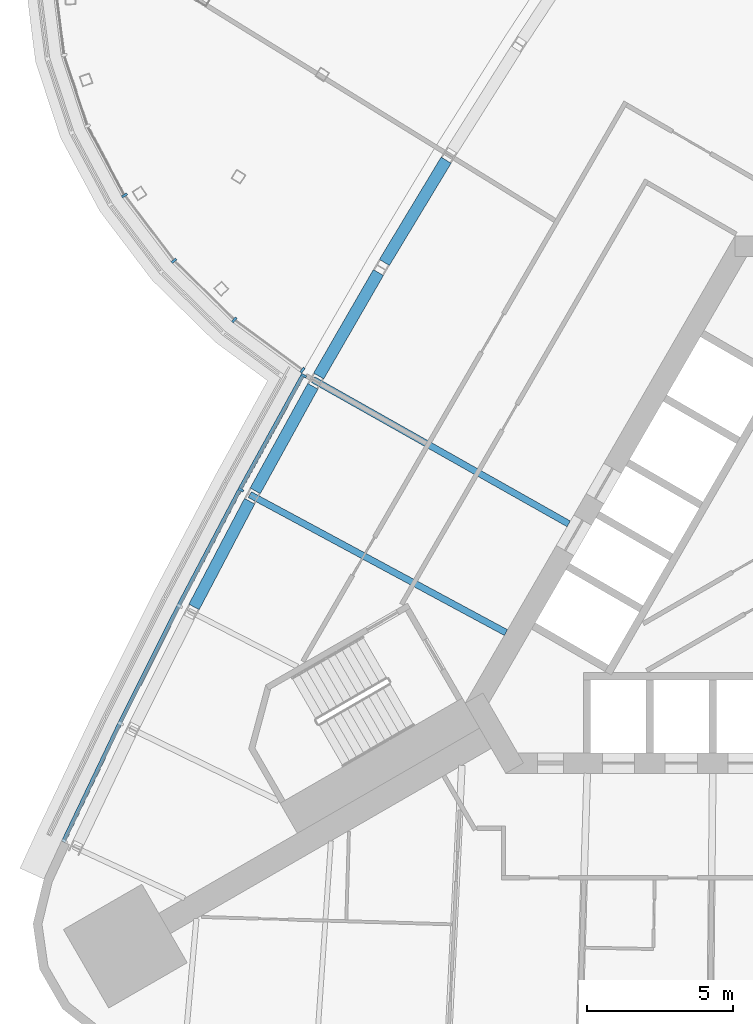
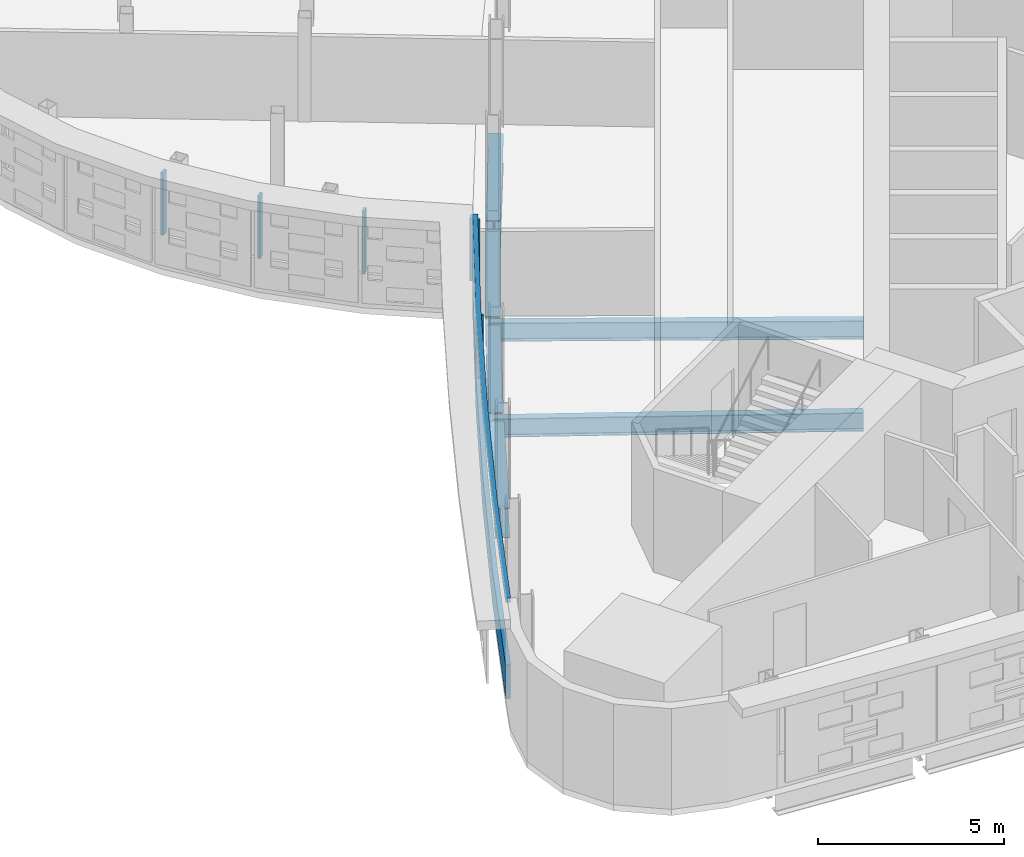
# One storey, part 6 of 16: 8 members, 6 beams, 2 elements without a shape of their own.
"""IFC4 building model written with IfcOpenShell, lengths in metres."""

from ifc_helpers import new_model, si_unit, direction, frame, origin, origin_2d, place, context, subcontext, project, spatial, polyline, rectangle, i_section, outline, extrude, material, material_profile, profile_set, type_object, element, aggregate, save


model = new_model("IFC4")

# Units and contexts
model_context = context("Model", 3, precision=1e-05, world=origin(), true_north=direction((0.0, 1.0)))
body_context = subcontext(model_context, "Body", "Model", "MODEL_VIEW")
ifc_project = project(units=[si_unit("LENGTHUNIT", "METRE"), si_unit("AREAUNIT", "SQUARE_METRE"), si_unit("VOLUMEUNIT", "CUBIC_METRE"), si_unit("PLANEANGLEUNIT", "RADIAN"), si_unit("MASSUNIT", "GRAM", prefix="KILO")], contexts=[model_context])

# Site, building, storey
site_placement = place(None, origin())
site = spatial("IfcSite", under=ifc_project, at=site_placement, CompositionType="ELEMENT")
building_placement = place(site_placement, origin())
building = spatial("IfcBuilding", under=site, at=building_placement, Name="Noor Cloister Tower", CompositionType="ELEMENT")
storey_placement = place(building_placement, frame((0.0, 0.0, 91.5)))
storey = spatial("IfcBuildingStorey", under=building, at=storey_placement, Name="L23", CompositionType="ELEMENT", Elevation=91.5)

# Beams
ifc_material_1 = material(Name="Steel ASTM A992 Gr 50", Category="steel")
ifc_material_profile_1 = material_profile(ifc_material_1, i_section(OverallWidth=0.40087890625, OverallDepth=0.98291015625, WebThickness=0.0166015625, FlangeThickness=0.027099609375, FilletRadius=0.030029296875, at=origin_2d()), Name="W1000x296")
ifc_profile_set_1 = profile_set([ifc_material_profile_1], Name="Steel ASTM A992 Gr 50")
beam_type_1 = type_object("IfcBeamType", Name="Belt chord girder W1000x296", PredefinedType="BEAM", material=ifc_profile_set_1)
for number, where, z_axis, x_axis, name in (
    (1, (-11.267578125, 14.048095703125, -0.69140625), (-0.516935158604, -0.856024556773, 0.0), (0.856024556773, -0.516935158604, 0.0), "Spandrel beam NW 04 L23"),
    (2, (-13.584716796875, 10.203369140625, -0.69140625), (-0.500037791097, -0.866003583985, 0.0), (0.866003583985, -0.500037791097, 0.0), "Spandrel beam NW 05 L23"),
):
    element("IfcBeam", number, at=place(storey_placement, frame(where, z_axis=z_axis, x_axis=x_axis)), inside=storey, type_object=beam_type_1, Name=name, PredefinedType="BEAM", context=body_context, shape_type="SweptSolid", body=[
        extrude(i_section(OverallWidth=0.40087890625, OverallDepth=0.98291015625, WebThickness=0.0166015625, FlangeThickness=0.027099609375, FilletRadius=0.030029296875, at=origin_2d()), origin(), (0.0, 0.0, 1.0), 4.088134765625),
    ])
beam_1_placement = place(storey_placement, frame((-15.825927734375, 6.313720703125, -0.69140625), z_axis=(-0.482851559561, -0.875702216184, 0.0), x_axis=(0.875702216184, -0.482851559561, 0.0)))
element("IfcBeam", 3, at=beam_1_placement, inside=storey, type_object=beam_type_1, Name="Spandrel beam NW 06 L23", PredefinedType="BEAM", context=body_context, shape_type="SweptSolid", body=[
    extrude(i_section(OverallWidth=0.40087890625, OverallDepth=0.98291015625, WebThickness=0.0166015625, FlangeThickness=0.027099609375, FilletRadius=0.030029296875, at=origin_2d()), origin(), (0.0, 0.0, 1.0), 4.087890625),
])
beam_2_placement = place(storey_placement, frame((-17.989990234375, 2.380859375, -0.69140625), z_axis=(-0.465512591223, -0.885041257464, 0.0), x_axis=(0.885041257464, -0.465512591223, 0.0)))
element("IfcBeam", 4, at=beam_2_placement, inside=storey, type_object=beam_type_1, Name="Spandrel beam NW 07 L23", PredefinedType="BEAM", context=body_context, shape_type="SweptSolid", body=[
    extrude(i_section(OverallWidth=0.40087890625, OverallDepth=0.98291015625, WebThickness=0.0166015625, FlangeThickness=0.027099609375, FilletRadius=0.030029296875, at=origin_2d()), origin(), (0.0, 0.0, 1.0), 4.088134765625),
])

# Curtain wall, members
ifc_material_2 = material(Name="Aluminium 6063-T6 anodised", Category="aluminium")
curtain_wall_type_1 = type_object("IfcCurtainWallType", Name="Ribbon curtain wall, lower tower CW1", PredefinedType="NOTDEFINED", material=ifc_material_2)
curtain_wall_1_placement = place(storey_placement, origin())
curtain_wall_1 = element("IfcCurtainWall", 5, at=curtain_wall_1_placement, inside=storey, type_object=curtain_wall_type_1, Name="CW1 L23 NW run 2", PredefinedType="NOTDEFINED")
ifc_material_3 = material(Name="Aluminium 6063-T6 anodised", Category="aluminium")
member_type_1 = type_object("IfcMemberType", Name="Head transom CW1 150", PredefinedType="USERDEFINED", material=ifc_material_3)
member_1_placement = place(storey_placement, frame((0.0, 0.0, 3.14990234375)))
member_1 = element("IfcMember", 6, at=member_1_placement, type_object=member_type_1, Name="CW1 head transom", ObjectType="TRANSOM", PredefinedType="USERDEFINED", context=body_context, shape_type="SweptSolid", body=[
    extrude(outline(polyline([(-16.2080078125, 6.759765625), (-18.380859375, 2.819091796875), (-20.475830078125, -1.16357421875), (-22.49169921875, -5.1865234375), (-24.42822265625, -9.24853515625), (-24.302001953125, -9.30859375), (-22.365966796875, -5.248046875), (-20.35107421875, -1.2275390625), (-18.257568359375, 2.752685546875), (-16.08544921875, 6.692138671875), (-16.2080078125, 6.759765625)])), origin(), (0.0, 0.0, 1.0), 0.150146484375),
])
ifc_material_4 = material(Name="Aluminium 6063-T6 anodised", Category="aluminium")
ifc_material_profile_2 = material_profile(ifc_material_4, rectangle(XDim=0.199951171875, YDim=0.080078125, at=origin_2d()), Name="200 x 80 mullion")
ifc_profile_set_2 = profile_set([ifc_material_profile_2], Name="Aluminium 6063-T6 anodised")
member_type_2 = type_object("IfcMemberType", Name="Mullion CW1 80 x 200", PredefinedType="MULLION", material=ifc_profile_set_2)
member_2_placement = place(storey_placement, frame((-16.139892578125, 6.67626953125, 1.10009765625), z_axis=(0.0, 0.0, 1.0), x_axis=(0.875698643614, -0.482858038737, 0.0)))
member_2 = element("IfcMember", 7, at=member_2_placement, type_object=member_type_2, Name="CW1 mullion 1", PredefinedType="MULLION", context=body_context, shape_type="SweptSolid", body=[
    extrude(rectangle(XDim=0.199951171875, YDim=0.080078125, at=origin_2d()), origin(), (0.0, 0.0, 1.0), 2.0498046875),
])
member_3_placement = place(storey_placement, frame((-18.292724609375, 2.771728515625, 1.10009765625), z_axis=(0.0, 0.0, 1.0), x_axis=(0.880408277748, -0.474216474275, 0.0)))
member_3 = element("IfcMember", 8, at=member_3_placement, type_object=member_type_2, Name="CW1 mullion 2", PredefinedType="MULLION", context=body_context, shape_type="SweptSolid", body=[
    extrude(rectangle(XDim=0.199951171875, YDim=0.080078125, at=origin_2d()), origin(), (0.0, 0.0, 1.0), 2.0498046875),
])

ifc_material_5 = material(Name="Aluminium 6063-T6 anodised", Category="aluminium")
curtain_wall_type_2 = type_object("IfcCurtainWallType", Name="Sky bar curtain wall, lower bars CW2", PredefinedType="NOTDEFINED", material=ifc_material_5)
curtain_wall_2_placement = place(storey_placement, origin())
curtain_wall_2 = element("IfcCurtainWall", 9, at=curtain_wall_2_placement, inside=storey, type_object=curtain_wall_type_2, Name="CW2 L23 NW sky bar run 1", PredefinedType="NOTDEFINED")
ifc_material_6 = material(Name="Aluminium 6063-T6 anodised", Category="aluminium")
ifc_material_profile_3 = material_profile(ifc_material_6, rectangle(XDim=0.199951171875, YDim=0.080078125, at=origin_2d()), Name="200 x 80 mullion")
ifc_profile_set_3 = profile_set([ifc_material_profile_3], Name="Aluminium 6063-T6 anodised")
member_type_3 = type_object("IfcMemberType", Name="Mullion CW2 80 x 200", PredefinedType="MULLION", material=ifc_profile_set_3)
member_4_placement = place(storey_placement, frame((-22.271484375, 12.84375, 1.10009765625), z_axis=(0.0, 0.0, 1.0), x_axis=(0.842174256763, 0.539205453649, 0.0)))
member_4 = element("IfcMember", 10, at=member_4_placement, type_object=member_type_3, Name="CW2 mullion 15", PredefinedType="MULLION", context=body_context, shape_type="SweptSolid", body=[
    extrude(rectangle(XDim=0.199951171875, YDim=0.080078125, at=origin_2d()), origin(), (0.0, 0.0, 1.0), 2.0498046875),
])
member_5_placement = place(storey_placement, frame((-20.57763671875, 10.607666015625, 1.10009765625), z_axis=(0.0, 0.0, 1.0), x_axis=(0.750691888526, 0.660652471804, 0.0)))
member_5 = element("IfcMember", 11, at=member_5_placement, type_object=member_type_3, Name="CW2 mullion 16", PredefinedType="MULLION", context=body_context, shape_type="SweptSolid", body=[
    extrude(rectangle(XDim=0.199951171875, YDim=0.080078125, at=origin_2d()), origin(), (0.0, 0.0, 1.0), 2.0498046875),
])
member_6_placement = place(storey_placement, frame((-18.51513671875, 8.584716796875, 1.10009765625), z_axis=(0.0, 0.0, 1.0), x_axis=(0.648411146888, 0.761290341849, 0.0)))
member_6 = element("IfcMember", 12, at=member_6_placement, type_object=member_type_3, Name="CW2 mullion 17", PredefinedType="MULLION", context=body_context, shape_type="SweptSolid", body=[
    extrude(rectangle(XDim=0.199951171875, YDim=0.080078125, at=origin_2d()), origin(), (0.0, 0.0, 1.0), 2.0498046875),
])
member_7_placement = place(storey_placement, frame((-16.180908203125, 6.864013671875, 1.10009765625), z_axis=(0.0, 0.0, 1.0), x_axis=(0.593401424742, 0.804906671058, 0.0)))
member_7 = element("IfcMember", 13, at=member_7_placement, type_object=member_type_3, Name="CW2 mullion 18", PredefinedType="MULLION", context=body_context, shape_type="SweptSolid", body=[
    extrude(rectangle(XDim=0.199951171875, YDim=0.080078125, at=origin_2d()), origin(), (0.0, 0.0, 1.0), 2.0498046875),
])
aggregate(curtain_wall_2, [member_4, member_5, member_6, member_7])

# Beams
ifc_material_7 = material(Name="Steel ASTM A992 Gr 50", Category="steel")
ifc_material_profile_4 = material_profile(ifc_material_7, i_section(OverallWidth=0.22802734375, OverallDepth=0.60205078125, WebThickness=0.010498046875, FlangeThickness=0.014892578125, FilletRadius=0.0126953125, at=origin_2d()), Name="W610x101")
ifc_profile_set_4 = profile_set([ifc_material_profile_4], Name="Steel ASTM A992 Gr 50")
beam_type_2 = type_object("IfcBeamType", Name="Radial beam W610x101", PredefinedType="BEAM", material=ifc_profile_set_4)
beam_3_placement = place(storey_placement, frame((-15.816650390625, 6.538818359375, -0.5009765625), z_axis=(0.870901874431, -0.491456941259, 0.0), x_axis=(0.491456941259, 0.870901874431, 0.0)))
element("IfcBeam", 14, at=beam_3_placement, inside=storey, type_object=beam_type_2, Name="Radial beam NW 06 L23", PredefinedType="BEAM", context=body_context, shape_type="SweptSolid", body=[
    extrude(i_section(OverallWidth=0.22802734375, OverallDepth=0.60205078125, WebThickness=0.010498046875, FlangeThickness=0.014892578125, FilletRadius=0.0126953125, at=origin_2d()), origin(), (0.0, 0.0, 1.0), 10.039306640625),
])
beam_4_placement = place(storey_placement, frame((-17.985107421875, 2.60595703125, -0.5009765625), z_axis=(0.880406516163, -0.474219744736, 0.0), x_axis=(0.474219744736, 0.880406516163, 0.0)))
element("IfcBeam", 15, at=beam_4_placement, inside=storey, type_object=beam_type_2, Name="Radial beam NW 07 L23", PredefinedType="BEAM", context=body_context, shape_type="SweptSolid", body=[
    extrude(i_section(OverallWidth=0.22802734375, OverallDepth=0.60205078125, WebThickness=0.010498046875, FlangeThickness=0.014892578125, FilletRadius=0.0126953125, at=origin_2d()), origin(), (0.0, 0.0, 1.0), 9.95458984375),
])

# Member
ifc_material_8 = material(Name="Aluminium 6063-T6 anodised", Category="aluminium")
member_type_4 = type_object("IfcMemberType", Name="Sill transom CW1 1100", PredefinedType="USERDEFINED", material=ifc_material_8)
member_8_placement = place(storey_placement, origin())
member_8 = element("IfcMember", 16, at=member_8_placement, type_object=member_type_4, Name="CW1 sill transom", ObjectType="TRANSOM", PredefinedType="USERDEFINED", context=body_context, shape_type="SweptSolid", body=[
    extrude(outline(polyline([(-16.2080078125, 6.759765625), (-18.380859375, 2.819091796875), (-20.475830078125, -1.16357421875), (-22.49169921875, -5.1865234375), (-24.42822265625, -9.24853515625), (-24.302001953125, -9.30859375), (-22.365966796875, -5.248046875), (-20.35107421875, -1.2275390625), (-18.257568359375, 2.752685546875), (-16.08544921875, 6.692138671875), (-16.2080078125, 6.759765625)])), origin(), (0.0, 0.0, 1.0), 1.10009765625),
])

aggregate(curtain_wall_1, [member_2, member_3, member_8, member_1])

save(model, "model.ifc")
